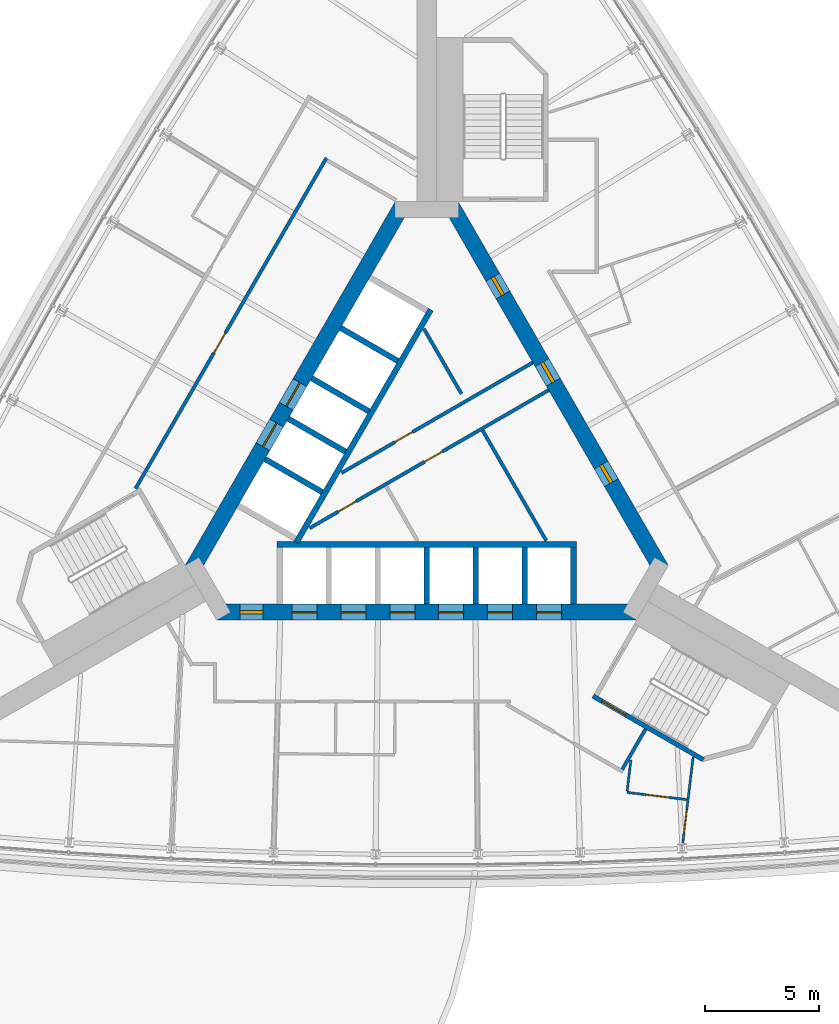
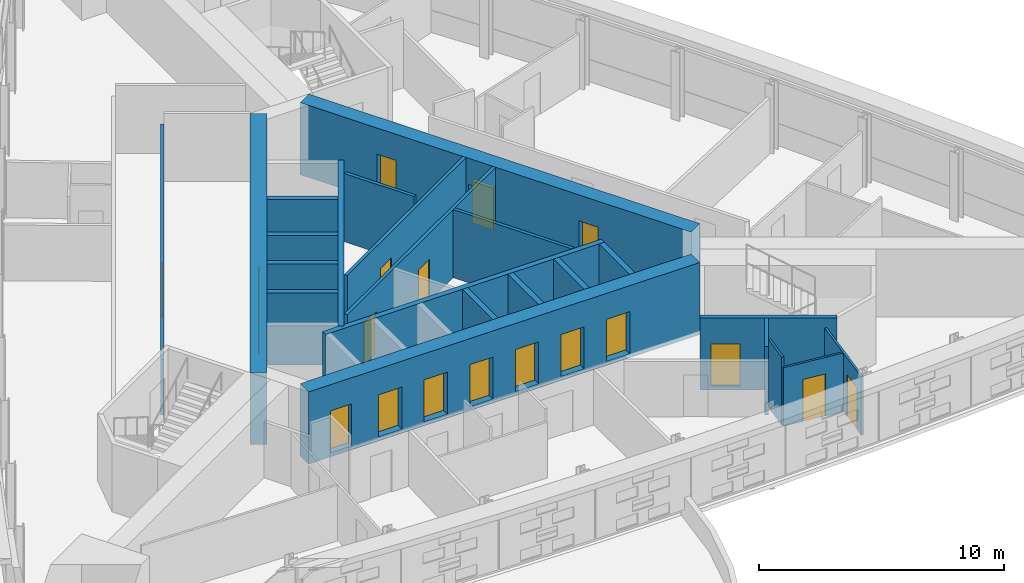
# One storey, part 11 of 15: 23 walls, 19 doors, 19 openings.
"""IFC4 building model written with IfcOpenShell, lengths in metres."""

from ifc_helpers import new_model, si_unit, direction, frame, frame_2d, origin, place, context, subcontext, project, spatial, rectangle, extrude, material, layer, layer_set, type_object, element, fill, save


model = new_model("IFC4")

# Units and contexts
model_context = context("Model", 3, precision=1e-05, world=origin(), true_north=direction((0.0, 1.0)))
body_context = subcontext(model_context, "Body", "Model", "MODEL_VIEW")
ifc_project = project(units=[si_unit("LENGTHUNIT", "METRE"), si_unit("AREAUNIT", "SQUARE_METRE"), si_unit("VOLUMEUNIT", "CUBIC_METRE"), si_unit("PLANEANGLEUNIT", "RADIAN"), si_unit("MASSUNIT", "GRAM", prefix="KILO")], contexts=[model_context])

# Site, building, storey
site_placement = place(None, origin())
site = spatial("IfcSite", under=ifc_project, at=site_placement, CompositionType="ELEMENT")
building_placement = place(site_placement, origin())
building = spatial("IfcBuilding", under=site, at=building_placement, Name="Noor Cloister Tower", CompositionType="ELEMENT")
storey_placement = place(building_placement, frame((0.0, 0.0, 69.0)))
storey = spatial("IfcBuildingStorey", under=building, at=storey_placement, Name="L17", CompositionType="ELEMENT", Elevation=69.0)

# Wall, openings, doors
ifc_material_1 = material(Name="Concrete C30/37", Category="concrete")
ifc_layer_1 = layer(ifc_material_1, 0.14990234375)
ifc_layer_set_1 = layer_set([ifc_layer_1], Name="Core partition 150 C30/37")
wall_type_1 = type_object("IfcWallType", Name="Core partition 150 C30/37", PredefinedType="PARTITIONING", material=ifc_layer_set_1)
wall_1_placement = place(storey_placement, frame((-5.147705078125, -2.8896484375, 0.0), z_axis=(0.0, 0.0, 1.0), x_axis=(0.866030081544, 0.499991897794, 0.0)))
wall_1 = element("IfcWall", 1, at=wall_1_placement, inside=storey, type_object=wall_type_1, Name="Core room partition L17 1", PredefinedType="PARTITIONING", context=body_context, shape_type="SweptSolid", body=[
    extrude(rectangle(XDim=12.131103515625, YDim=0.14990234375, at=frame_2d((6.0654296875, 0.0))), origin(), (0.0, 0.0, 1.0), 3.39990234375),
])
opening_1_placement = place(wall_1_placement, frame((5.8310546875, 0.0, 0.0)))
opening_1 = element("IfcOpeningElement", 2, at=opening_1_placement, cuts=wall_1, Name="Opening L17-904", PredefinedType="OPENING", context=body_context, shape_type="SweptSolid", body=[
    extrude(rectangle(XDim=0.89990234375, YDim=2.10009765625, at=frame_2d((0.449951171875, 1.050048828125))), frame((0.0, 0.0849609375, 0.0), z_axis=(0.0, -1.0, 0.0), x_axis=(1.0, 0.0, 0.0)), (0.0, 0.0, 1.0), 0.169921875),
])
opening_2_placement = place(wall_1_placement, frame((1.466552734375, 0.0, 0.0)))
opening_2 = element("IfcOpeningElement", 3, at=opening_2_placement, cuts=wall_1, Name="Opening L17-906", PredefinedType="OPENING", context=body_context, shape_type="SweptSolid", body=[
    extrude(rectangle(XDim=0.89990234375, YDim=2.10009765625, at=frame_2d((0.449951171875, 1.050048828125))), frame((0.0, 0.0849609375, 0.0), z_axis=(0.0, -1.0, 0.0), x_axis=(1.0, 0.0, 0.0)), (0.0, 0.0, 1.0), 0.169921875),
])
ifc_material_2 = material(Name="Steel", Category="steel")
door_type_1 = type_object("IfcDoorType", Name="Core door 900 x 2100 FD60", OperationType="SINGLE_SWING_LEFT", PredefinedType="DOOR", material=ifc_material_2)
door_1_placement = place(opening_1_placement, origin())
door_1 = element("IfcDoor", 4, at=door_1_placement, inside=storey, type_object=door_type_1, Name="Core door 4 L17", OperationType="SINGLE_SWING_RIGHT", OverallHeight=2.10009765625, OverallWidth=0.89990234375, PredefinedType="DOOR", context=body_context, shape_type="SweptSolid", body=[
    extrude(rectangle(XDim=0.89990234375, YDim=2.10009765625, at=frame_2d((0.449951171875, 1.050048828125))), frame((0.0, 0.02490234375, 0.0), z_axis=(0.0, -1.0, 0.0), x_axis=(1.0, 0.0, 0.0)), (0.0, 0.0, 1.0), 0.050048828125),
])
fill(opening_1, door_1)
door_2_placement = place(opening_2_placement, origin())
door_2 = element("IfcDoor", 5, at=door_2_placement, inside=storey, type_object=door_type_1, Name="Core door 6 L17", OperationType="SINGLE_SWING_RIGHT", OverallHeight=2.10009765625, OverallWidth=0.89990234375, PredefinedType="DOOR", context=body_context, shape_type="SweptSolid", body=[
    extrude(rectangle(XDim=0.89990234375, YDim=2.10009765625, at=frame_2d((0.449951171875, 1.050048828125))), frame((0.0, 0.02490234375, 0.0), z_axis=(0.0, -1.0, 0.0), x_axis=(1.0, 0.0, 0.0)), (0.0, 0.0, 1.0), 0.050048828125),
])
fill(opening_2, door_2)

# Wall, opening, door
wall_2_placement = place(storey_placement, frame((-3.747802734375, -0.46484375, 0.0), z_axis=(0.0, 0.0, 1.0), x_axis=(0.866033540873, 0.499985905884, 0.0)))
wall_2 = element("IfcWall", 6, at=wall_2_placement, inside=storey, type_object=wall_type_1, Name="Core room partition L17 2", PredefinedType="PARTITIONING", context=body_context, shape_type="SweptSolid", body=[
    extrude(rectangle(XDim=9.706298828125, YDim=0.14990234375, at=frame_2d((4.85302734375, 0.0))), origin(), (0.0, 0.0, 1.0), 3.39990234375),
])
opening_3_placement = place(wall_2_placement, frame((2.7041015625, 0.0, 0.0)))
opening_3 = element("IfcOpeningElement", 7, at=opening_3_placement, cuts=wall_2, Name="Opening L17-905", PredefinedType="OPENING", context=body_context, shape_type="SweptSolid", body=[
    extrude(rectangle(XDim=0.89990234375, YDim=2.10009765625, at=frame_2d((0.449951171875, 1.050048828125))), frame((0.0, 0.0849609375, 0.0), z_axis=(0.0, -1.0, 0.0), x_axis=(1.0, 0.0, 0.0)), (0.0, 0.0, 1.0), 0.169921875),
])
door_3_placement = place(opening_3_placement, origin())
door_3 = element("IfcDoor", 8, at=door_3_placement, inside=storey, type_object=door_type_1, Name="Core door 5 L17", OperationType="SINGLE_SWING_LEFT", OverallHeight=2.10009765625, OverallWidth=0.89990234375, PredefinedType="DOOR", context=body_context, shape_type="SweptSolid", body=[
    extrude(rectangle(XDim=0.89990234375, YDim=2.10009765625, at=frame_2d((0.449951171875, 1.050048828125))), frame((0.0, 0.02490234375, 0.0), z_axis=(0.0, -1.0, 0.0), x_axis=(1.0, 0.0, 0.0)), (0.0, 0.0, 1.0), 0.050048828125),
])
fill(opening_3, door_3)

# Walls
wall_3_placement = place(storey_placement, frame((1.526123046875, 3.012939453125, 0.0), z_axis=(0.0, 0.0, 1.0), x_axis=(-0.499978925887, 0.866037570588, 0.0)))
element("IfcWall", 9, at=wall_3_placement, inside=storey, type_object=wall_type_1, Name="Core room partition L17 3", PredefinedType="PARTITIONING", context=body_context, shape_type="SweptSolid", body=[
    extrude(rectangle(XDim=3.296142578125, YDim=0.14990234375, at=frame_2d((1.64794921875, 0.0))), origin(), (0.0, 0.0, 1.0), 3.39990234375),
])
wall_4_placement = place(storey_placement, frame((5.25146484375, -3.439208984375, 0.0), z_axis=(0.0, 0.0, 1.0), x_axis=(-0.500011755427, 0.866018616679, 0.0)))
element("IfcWall", 10, at=wall_4_placement, inside=storey, type_object=wall_type_1, Name="Core room partition L17 5", PredefinedType="PARTITIONING", context=body_context, shape_type="SweptSolid", body=[
    extrude(rectangle(XDim=5.600341796875, YDim=0.14990234375, at=frame_2d((2.80029296875, 0.0))), origin(), (0.0, 0.0, 1.0), 3.39990234375),
])

# Wall, openings, doors
ifc_material_3 = material(Name="Concrete C80/95", Category="concrete")
ifc_layer_2 = layer(ifc_material_3, 0.699951171875)
ifc_layer_set_2 = layer_set([ifc_layer_2], Name="Core wall 700 C80/95")
wall_type_2 = type_object("IfcWallType", Name="Core wall 700 C80/95", PredefinedType="SHEAR", material=ifc_layer_set_2)
wall_5_placement = place(storey_placement, frame((-9.228759765625, -6.578125, -0.199951171875), z_axis=(0.0, 0.0, 1.0), x_axis=(1.0, 0.0, 0.0)))
wall_5 = element("IfcWall", 11, at=wall_5_placement, inside=storey, type_object=wall_type_2, Name="Core wall L17 1", PredefinedType="SHEAR", context=body_context, shape_type="SweptSolid", body=[
    extrude(rectangle(XDim=18.45751953125, YDim=0.699951171875, at=frame_2d((9.228759765625, 0.0))), origin(), (0.0, 0.0, 1.0), 3.599853515625),
])
opening_4_placement = place(wall_5_placement, frame((3.3037109375, 0.0, 0.199951171875)))
opening_4 = element("IfcOpeningElement", 12, at=opening_4_placement, cuts=wall_5, Name="Opening L17-LR1", PredefinedType="OPENING", context=body_context, shape_type="SweptSolid", body=[
    extrude(rectangle(XDim=1.10009765625, YDim=2.10009765625, at=frame_2d((0.550048828125, 1.050048828125))), frame((0.0, 0.35986328125, 0.0), z_axis=(0.0, -1.0, 0.0), x_axis=(1.0, 0.0, 0.0)), (0.0, 0.0, 1.0), 0.719970703125),
])
opening_5_placement = place(wall_5_placement, frame((5.45361328125, 0.0, 0.199951171875)))
opening_5 = element("IfcOpeningElement", 13, at=opening_5_placement, cuts=wall_5, Name="Opening L17-LR2", PredefinedType="OPENING", context=body_context, shape_type="SweptSolid", body=[
    extrude(rectangle(XDim=1.10009765625, YDim=2.10009765625, at=frame_2d((0.550048828125, 1.050048828125))), frame((0.0, 0.35986328125, 0.0), z_axis=(0.0, -1.0, 0.0), x_axis=(1.0, 0.0, 0.0)), (0.0, 0.0, 1.0), 0.719970703125),
])
opening_6_placement = place(wall_5_placement, frame((7.603759765625, 0.0, 0.199951171875)))
opening_6 = element("IfcOpeningElement", 14, at=opening_6_placement, cuts=wall_5, Name="Opening L17-LR3", PredefinedType="OPENING", context=body_context, shape_type="SweptSolid", body=[
    extrude(rectangle(XDim=1.10009765625, YDim=2.10009765625, at=frame_2d((0.550048828125, 1.050048828125))), frame((0.0, 0.35986328125, 0.0), z_axis=(0.0, -1.0, 0.0), x_axis=(1.0, 0.0, 0.0)), (0.0, 0.0, 1.0), 0.719970703125),
])
opening_7_placement = place(wall_5_placement, frame((9.753662109375, 0.0, 0.199951171875)))
opening_7 = element("IfcOpeningElement", 15, at=opening_7_placement, cuts=wall_5, Name="Opening L17-LR4", PredefinedType="OPENING", context=body_context, shape_type="SweptSolid", body=[
    extrude(rectangle(XDim=1.10009765625, YDim=2.10009765625, at=frame_2d((0.550048828125, 1.050048828125))), frame((0.0, 0.35986328125, 0.0), z_axis=(0.0, -1.0, 0.0), x_axis=(1.0, 0.0, 0.0)), (0.0, 0.0, 1.0), 0.719970703125),
])
opening_8_placement = place(wall_5_placement, frame((11.90380859375, 0.0, 0.199951171875)))
opening_8 = element("IfcOpeningElement", 16, at=opening_8_placement, cuts=wall_5, Name="Opening L17-LR5", PredefinedType="OPENING", context=body_context, shape_type="SweptSolid", body=[
    extrude(rectangle(XDim=1.10009765625, YDim=2.10009765625, at=frame_2d((0.550048828125, 1.050048828125))), frame((0.0, 0.35986328125, 0.0), z_axis=(0.0, -1.0, 0.0), x_axis=(1.0, 0.0, 0.0)), (0.0, 0.0, 1.0), 0.719970703125),
])
opening_9_placement = place(wall_5_placement, frame((14.0537109375, 0.0, 0.199951171875)))
opening_9 = element("IfcOpeningElement", 17, at=opening_9_placement, cuts=wall_5, Name="Opening L17-LR6", PredefinedType="OPENING", context=body_context, shape_type="SweptSolid", body=[
    extrude(rectangle(XDim=1.10009765625, YDim=2.10009765625, at=frame_2d((0.550048828125, 1.050048828125))), frame((0.0, 0.35986328125, 0.0), z_axis=(0.0, -1.0, 0.0), x_axis=(1.0, 0.0, 0.0)), (0.0, 0.0, 1.0), 0.719970703125),
])
opening_10_placement = place(wall_5_placement, frame((1.02880859375, 0.0, 0.199951171875)))
opening_10 = element("IfcOpeningElement", 18, at=opening_10_placement, cuts=wall_5, Name="Opening L17-907", PredefinedType="OPENING", context=body_context, shape_type="SweptSolid", body=[
    extrude(rectangle(XDim=1.0, YDim=2.10009765625, at=frame_2d((0.5, 1.050048828125))), frame((0.0, 0.35986328125, 0.0), z_axis=(0.0, -1.0, 0.0), x_axis=(1.0, 0.0, 0.0)), (0.0, 0.0, 1.0), 0.719970703125),
])
ifc_material_4 = material(Name="Steel", Category="steel")
door_type_2 = type_object("IfcDoorType", Name="Core door 1000 x 2100 FD60", OperationType="SINGLE_SWING_LEFT", PredefinedType="DOOR", material=ifc_material_4)
door_4_placement = place(opening_10_placement, origin())
door_4 = element("IfcDoor", 19, at=door_4_placement, inside=storey, type_object=door_type_2, Name="Core door 7 L17", OperationType="SINGLE_SWING_LEFT", OverallHeight=2.10009765625, OverallWidth=1.0, PredefinedType="DOOR", context=body_context, shape_type="SweptSolid", body=[
    extrude(rectangle(XDim=1.0, YDim=2.10009765625, at=frame_2d((0.5, 1.050048828125))), frame((0.0, 0.074951171875, 0.0), z_axis=(0.0, -1.0, 0.0), x_axis=(1.0, 0.0, 0.0)), (0.0, 0.0, 1.0), 0.14990234375),
])
fill(opening_10, door_4)
ifc_material_5 = material(Name="Stainless steel", Category="steel")
door_type_3 = type_object("IfcDoorType", Name="Lift landing door 1100 x 2100", OperationType="DOUBLE_DOOR_SLIDING", PredefinedType="DOOR", material=ifc_material_5)
door_5_placement = place(opening_4_placement, origin())
door_5 = element("IfcDoor", 20, at=door_5_placement, inside=storey, type_object=door_type_3, Name="Landing door LR1 L17", OperationType="DOUBLE_DOOR_SLIDING", OverallHeight=2.10009765625, OverallWidth=1.10009765625, PredefinedType="DOOR", context=body_context, shape_type="SweptSolid", body=[
    extrude(rectangle(XDim=1.10009765625, YDim=2.10009765625, at=frame_2d((0.550048828125, 1.050048828125))), frame((0.0, 0.02490234375, 0.0), z_axis=(0.0, -1.0, 0.0), x_axis=(1.0, 0.0, 0.0)), (0.0, 0.0, 1.0), 0.050048828125),
])
fill(opening_4, door_5)
door_6_placement = place(opening_5_placement, origin())
door_6 = element("IfcDoor", 21, at=door_6_placement, inside=storey, type_object=door_type_3, Name="Landing door LR2 L17", OperationType="DOUBLE_DOOR_SLIDING", OverallHeight=2.10009765625, OverallWidth=1.10009765625, PredefinedType="DOOR", context=body_context, shape_type="SweptSolid", body=[
    extrude(rectangle(XDim=1.10009765625, YDim=2.10009765625, at=frame_2d((0.550048828125, 1.050048828125))), frame((0.0, 0.02490234375, 0.0), z_axis=(0.0, -1.0, 0.0), x_axis=(1.0, 0.0, 0.0)), (0.0, 0.0, 1.0), 0.050048828125),
])
fill(opening_5, door_6)
door_7_placement = place(opening_6_placement, origin())
door_7 = element("IfcDoor", 22, at=door_7_placement, inside=storey, type_object=door_type_3, Name="Landing door LR3 L17", OperationType="DOUBLE_DOOR_SLIDING", OverallHeight=2.10009765625, OverallWidth=1.10009765625, PredefinedType="DOOR", context=body_context, shape_type="SweptSolid", body=[
    extrude(rectangle(XDim=1.10009765625, YDim=2.10009765625, at=frame_2d((0.550048828125, 1.050048828125))), frame((0.0, 0.02490234375, 0.0), z_axis=(0.0, -1.0, 0.0), x_axis=(1.0, 0.0, 0.0)), (0.0, 0.0, 1.0), 0.050048828125),
])
fill(opening_6, door_7)
door_8_placement = place(opening_7_placement, origin())
door_8 = element("IfcDoor", 23, at=door_8_placement, inside=storey, type_object=door_type_3, Name="Landing door LR4 L17", OperationType="DOUBLE_DOOR_SLIDING", OverallHeight=2.10009765625, OverallWidth=1.10009765625, PredefinedType="DOOR", context=body_context, shape_type="SweptSolid", body=[
    extrude(rectangle(XDim=1.10009765625, YDim=2.10009765625, at=frame_2d((0.550048828125, 1.050048828125))), frame((0.0, 0.02490234375, 0.0), z_axis=(0.0, -1.0, 0.0), x_axis=(1.0, 0.0, 0.0)), (0.0, 0.0, 1.0), 0.050048828125),
])
fill(opening_7, door_8)
door_9_placement = place(opening_8_placement, origin())
door_9 = element("IfcDoor", 24, at=door_9_placement, inside=storey, type_object=door_type_3, Name="Landing door LR5 L17", OperationType="DOUBLE_DOOR_SLIDING", OverallHeight=2.10009765625, OverallWidth=1.10009765625, PredefinedType="DOOR", context=body_context, shape_type="SweptSolid", body=[
    extrude(rectangle(XDim=1.10009765625, YDim=2.10009765625, at=frame_2d((0.550048828125, 1.050048828125))), frame((0.0, 0.02490234375, 0.0), z_axis=(0.0, -1.0, 0.0), x_axis=(1.0, 0.0, 0.0)), (0.0, 0.0, 1.0), 0.050048828125),
])
fill(opening_8, door_9)
door_10_placement = place(opening_9_placement, origin())
door_10 = element("IfcDoor", 25, at=door_10_placement, inside=storey, type_object=door_type_3, Name="Landing door LR6 L17", OperationType="DOUBLE_DOOR_SLIDING", OverallHeight=2.10009765625, OverallWidth=1.10009765625, PredefinedType="DOOR", context=body_context, shape_type="SweptSolid", body=[
    extrude(rectangle(XDim=1.10009765625, YDim=2.10009765625, at=frame_2d((0.550048828125, 1.050048828125))), frame((0.0, 0.02490234375, 0.0), z_axis=(0.0, -1.0, 0.0), x_axis=(1.0, 0.0, 0.0)), (0.0, 0.0, 1.0), 0.050048828125),
])
fill(opening_9, door_10)

wall_6_placement = place(storey_placement, frame((10.311279296875, -4.703125, -0.199951171875), z_axis=(0.0, 0.0, 1.0), x_axis=(-0.500001446645, 0.866024568562, 0.0)))
wall_6 = element("IfcWall", 26, at=wall_6_placement, inside=storey, type_object=wall_type_2, Name="Core wall L17 3", PredefinedType="SHEAR", context=body_context, shape_type="SweptSolid", body=[
    extrude(rectangle(XDim=18.45751953125, YDim=0.699951171875, at=frame_2d((9.228759765625, 0.0))), origin(), (0.0, 0.0, 1.0), 3.599853515625),
])
opening_11_placement = place(wall_6_placement, frame((9.5, 0.0, 0.199951171875)))
opening_11 = element("IfcOpeningElement", 27, at=opening_11_placement, cuts=wall_6, Name="Opening L17-901", PredefinedType="OPENING", context=body_context, shape_type="SweptSolid", body=[
    extrude(rectangle(XDim=1.0, YDim=2.10009765625, at=frame_2d((0.5, 1.050048828125))), frame((0.0, 0.35986328125, 0.0), z_axis=(0.0, -1.0, 0.0), x_axis=(1.0, 0.0, 0.0)), (0.0, 0.0, 1.0), 0.719970703125),
])
opening_12_placement = place(wall_6_placement, frame((4.402099609375, 0.0, 0.199951171875)))
opening_12 = element("IfcOpeningElement", 28, at=opening_12_placement, cuts=wall_6, Name="Opening L17-902", PredefinedType="OPENING", context=body_context, shape_type="SweptSolid", body=[
    extrude(rectangle(XDim=0.89990234375, YDim=2.10009765625, at=frame_2d((0.449951171875, 1.050048828125))), frame((0.0, 0.35986328125, 0.0), z_axis=(0.0, -1.0, 0.0), x_axis=(1.0, 0.0, 0.0)), (0.0, 0.0, 1.0), 0.719970703125),
])
opening_13_placement = place(wall_6_placement, frame((13.9267578125, 0.0, 0.199951171875)))
opening_13 = element("IfcOpeningElement", 29, at=opening_13_placement, cuts=wall_6, Name="Opening L17-903", PredefinedType="OPENING", context=body_context, shape_type="SweptSolid", body=[
    extrude(rectangle(XDim=0.89990234375, YDim=2.10009765625, at=frame_2d((0.449951171875, 1.050048828125))), frame((0.0, 0.35986328125, 0.0), z_axis=(0.0, -1.0, 0.0), x_axis=(1.0, 0.0, 0.0)), (0.0, 0.0, 1.0), 0.719970703125),
])
ifc_material_6 = material(Name="Steel", Category="steel")
door_type_4 = type_object("IfcDoorType", Name="Core door 1000 x 2100 FD120", OperationType="SINGLE_SWING_LEFT", PredefinedType="DOOR", material=ifc_material_6)
door_11_placement = place(opening_11_placement, origin())
door_11 = element("IfcDoor", 30, at=door_11_placement, inside=storey, type_object=door_type_4, Name="Core door 1 L17", OperationType="SINGLE_SWING_LEFT", OverallHeight=2.10009765625, OverallWidth=1.0, PredefinedType="DOOR", context=body_context, shape_type="SweptSolid", body=[
    extrude(rectangle(XDim=1.0, YDim=2.10009765625, at=frame_2d((0.5, 1.050048828125))), frame((0.0, 0.074951171875, 0.0), z_axis=(0.0, -1.0, 0.0), x_axis=(1.0, 0.0, 0.0)), (0.0, 0.0, 1.0), 0.14990234375),
])
fill(opening_11, door_11)
ifc_material_7 = material(Name="Steel", Category="steel")
door_type_5 = type_object("IfcDoorType", Name="Core door 900 x 2100 FD120", OperationType="SINGLE_SWING_LEFT", PredefinedType="DOOR", material=ifc_material_7)
door_12_placement = place(opening_13_placement, origin())
door_12 = element("IfcDoor", 31, at=door_12_placement, inside=storey, type_object=door_type_5, Name="Core door 3 L17", OperationType="SINGLE_SWING_LEFT", OverallHeight=2.10009765625, OverallWidth=0.89990234375, PredefinedType="DOOR", context=body_context, shape_type="SweptSolid", body=[
    extrude(rectangle(XDim=0.89990234375, YDim=2.10009765625, at=frame_2d((0.449951171875, 1.050048828125))), frame((0.0, 0.074951171875, 0.0), z_axis=(0.0, -1.0, 0.0), x_axis=(1.0, 0.0, 0.0)), (0.0, 0.0, 1.0), 0.14990234375),
])
fill(opening_13, door_12)
door_13_placement = place(opening_12_placement, origin())
door_13 = element("IfcDoor", 32, at=door_13_placement, inside=storey, type_object=door_type_1, Name="Core door 2 L17", OperationType="SINGLE_SWING_RIGHT", OverallHeight=2.10009765625, OverallWidth=0.89990234375, PredefinedType="DOOR", context=body_context, shape_type="SweptSolid", body=[
    extrude(rectangle(XDim=0.89990234375, YDim=2.10009765625, at=frame_2d((0.449951171875, 1.050048828125))), frame((0.0, 0.074951171875, 0.0), z_axis=(0.0, -1.0, 0.0), x_axis=(1.0, 0.0, 0.0)), (0.0, 0.0, 1.0), 0.14990234375),
])
fill(opening_12, door_13)

wall_7_placement = place(storey_placement, frame((-1.08251953125, 11.281494140625, -0.199951171875), z_axis=(0.0, 0.0, 1.0), x_axis=(-0.500001446645, -0.866024568562, 0.0)))
wall_7 = element("IfcWall", 33, at=wall_7_placement, inside=storey, type_object=wall_type_2, Name="Core wall L17 5", PredefinedType="SHEAR", context=body_context, shape_type="SweptSolid", body=[
    extrude(rectangle(XDim=18.45751953125, YDim=0.699951171875, at=frame_2d((9.228759765625, 0.0))), origin(), (0.0, 0.0, 1.0), 3.599853515625),
])
opening_14_placement = place(wall_7_placement, frame((8.978759765625, 0.0, 0.199951171875)))
opening_14 = element("IfcOpeningElement", 34, at=opening_14_placement, cuts=wall_7, Name="Opening L17-FF1", PredefinedType="OPENING", context=body_context, shape_type="SweptSolid", body=[
    extrude(rectangle(XDim=1.199951171875, YDim=2.10009765625, at=frame_2d((0.60009765625, 1.050048828125))), frame((0.0, 0.35986328125, 0.0), z_axis=(0.0, -1.0, 0.0), x_axis=(1.0, 0.0, 0.0)), (0.0, 0.0, 1.0), 0.719970703125),
])
opening_15_placement = place(wall_7_placement, frame((11.02880859375, 0.0, 0.199951171875)))
opening_15 = element("IfcOpeningElement", 35, at=opening_15_placement, cuts=wall_7, Name="Opening L17-FF2", PredefinedType="OPENING", context=body_context, shape_type="SweptSolid", body=[
    extrude(rectangle(XDim=1.199951171875, YDim=2.10009765625, at=frame_2d((0.60009765625, 1.050048828125))), frame((0.0, 0.35986328125, 0.0), z_axis=(0.0, -1.0, 0.0), x_axis=(1.0, 0.0, 0.0)), (0.0, 0.0, 1.0), 0.719970703125),
])
ifc_material_8 = material(Name="Stainless steel", Category="steel")
door_type_6 = type_object("IfcDoorType", Name="Lift landing door 1200 x 2100", OperationType="DOUBLE_DOOR_SLIDING", PredefinedType="DOOR", material=ifc_material_8)
door_14_placement = place(opening_14_placement, origin())
door_14 = element("IfcDoor", 36, at=door_14_placement, inside=storey, type_object=door_type_6, Name="Landing door FF1 L17", OperationType="DOUBLE_DOOR_SLIDING", OverallHeight=2.10009765625, OverallWidth=1.199951171875, PredefinedType="DOOR", context=body_context, shape_type="SweptSolid", body=[
    extrude(rectangle(XDim=1.199951171875, YDim=2.10009765625, at=frame_2d((0.60009765625, 1.050048828125))), frame((0.0, 0.02490234375, 0.0), z_axis=(0.0, -1.0, 0.0), x_axis=(1.0, 0.0, 0.0)), (0.0, 0.0, 1.0), 0.050048828125),
])
fill(opening_14, door_14)
door_15_placement = place(opening_15_placement, origin())
door_15 = element("IfcDoor", 37, at=door_15_placement, inside=storey, type_object=door_type_6, Name="Landing door FF2 L17", OperationType="DOUBLE_DOOR_SLIDING", OverallHeight=2.10009765625, OverallWidth=1.199951171875, PredefinedType="DOOR", context=body_context, shape_type="SweptSolid", body=[
    extrude(rectangle(XDim=1.199951171875, YDim=2.10009765625, at=frame_2d((0.60009765625, 1.050048828125))), frame((0.0, 0.02490234375, 0.0), z_axis=(0.0, -1.0, 0.0), x_axis=(1.0, 0.0, 0.0)), (0.0, 0.0, 1.0), 0.050048828125),
])
fill(opening_15, door_15)

# Wall, opening, door
ifc_material_9 = material(Name="Fire-rated gypsum board partition on steel studs, 150 mm", Category="steel")
ifc_layer_3 = layer(ifc_material_9, 0.14990234375)
ifc_layer_set_3 = layer_set([ifc_layer_3], Name="Fire lobby wall 150")
wall_type_3 = type_object("IfcWallType", Name="Fire lobby wall 150", PredefinedType="PARTITIONING", material=ifc_layer_set_3)
wall_8_placement = place(storey_placement, frame((-4.40673828125, 13.373779296875, 0.0), z_axis=(0.0, 0.0, 1.0), x_axis=(-0.499997181693, -0.866027030928, 0.0)))
wall_8 = element("IfcWall", 38, at=wall_8_placement, inside=storey, type_object=wall_type_3, Name="Fire lobby wall 150 L17 002", PredefinedType="PARTITIONING", context=body_context, shape_type="SweptSolid", body=[
    extrude(rectangle(XDim=16.76953125, YDim=0.14990234375, at=frame_2d((8.384765625, 0.0))), origin(), (0.0, 0.0, 1.0), 2.778076171875),
])
opening_16_placement = place(wall_8_placement, frame((8.878662109375, 0.0, 0.0)))
opening_16 = element("IfcOpeningElement", 39, at=opening_16_placement, cuts=wall_8, Name="Opening L17-003", PredefinedType="OPENING", context=body_context, shape_type="SweptSolid", body=[
    extrude(rectangle(XDim=1.0, YDim=2.10009765625, at=frame_2d((0.5, 1.050048828125))), frame((0.0, 0.0849609375, 0.0), z_axis=(0.0, -1.0, 0.0), x_axis=(1.0, 0.0, 0.0)), (0.0, 0.0, 1.0), 0.169921875),
])
ifc_material_10 = material(Name="Timber door leaf with steel frame", Category="steel")
door_type_7 = type_object("IfcDoorType", Name="Fire lobby door 1000", OperationType="NOTDEFINED", PredefinedType="DOOR", material=ifc_material_10)
door_16_placement = place(opening_16_placement, origin())
door_16 = element("IfcDoor", 40, at=door_16_placement, inside=storey, type_object=door_type_7, Name="Fire lobby door 1000 L17-003", OperationType="SINGLE_SWING_RIGHT", OverallHeight=2.10009765625, OverallWidth=1.0, PredefinedType="DOOR", context=body_context, shape_type="SweptSolid", body=[
    extrude(rectangle(XDim=1.0, YDim=2.10009765625, at=frame_2d((0.5, 1.050048828125))), frame((0.0, 0.02490234375, 0.0), z_axis=(0.0, -1.0, 0.0), x_axis=(1.0, 0.0, 0.0)), (0.0, 0.0, 1.0), 0.050048828125),
])
fill(opening_16, door_16)

# Wall
ifc_material_11 = material(Name="Gypsum board partition on steel studs, 150 mm", Category="steel")
ifc_layer_4 = layer(ifc_material_11, 0.14990234375)
ifc_layer_set_4 = layer_set([ifc_layer_4], Name="Flat wall 150")
wall_type_4 = type_object("IfcWallType", Name="Flat wall 150", PredefinedType="PARTITIONING", material=ifc_layer_set_4)
wall_9_placement = place(storey_placement, frame((8.588623046875, -13.48681640625, 0.0), z_axis=(0.0, 0.0, 1.0), x_axis=(0.499956128963, 0.866050731258, 0.0)))
element("IfcWall", 41, at=wall_9_placement, inside=storey, type_object=wall_type_4, Name="Flat wall 150 L17 010", PredefinedType="PARTITIONING", context=body_context, shape_type="SweptSolid", body=[
    extrude(rectangle(XDim=2.050048828125, YDim=0.14990234375, at=frame_2d((1.02490234375, 0.0))), origin(), (0.0, 0.0, 1.0), 3.39990234375),
])

# Wall, opening, door
ifc_material_12 = material(Name="Gypsum board partition on steel studs, 100 mm", Category="steel")
ifc_layer_5 = layer(ifc_material_12, 0.10009765625)
ifc_layer_set_5 = layer_set([ifc_layer_5], Name="Partition 100")
wall_type_5 = type_object("IfcWallType", Name="Partition 100", PredefinedType="PARTITIONING", material=ifc_layer_set_5)
wall_10_placement = place(storey_placement, frame((11.70263671875, -12.940185546875, 0.0), z_axis=(0.0, 0.0, 1.0), x_axis=(-0.119454840068, -0.99283963518, 0.0)))
wall_10 = element("IfcWall", 42, at=wall_10_placement, inside=storey, type_object=wall_type_5, Name="Partition 100 L17 029", PredefinedType="PARTITIONING", context=body_context, shape_type="SweptSolid", body=[
    extrude(rectangle(XDim=3.793212890625, YDim=0.10009765625, at=frame_2d((1.896484375, 0.0))), origin(), (0.0, 0.0, 1.0), 2.923095703125),
])
opening_17_placement = place(wall_10_placement, frame((2.336181640625, 0.0, 0.0)))
opening_17 = element("IfcOpeningElement", 43, at=opening_17_placement, cuts=wall_10, Name="Opening L17-020", PredefinedType="OPENING", context=body_context, shape_type="SweptSolid", body=[
    extrude(rectangle(XDim=1.0, YDim=2.10009765625, at=frame_2d((0.5, 1.050048828125))), frame((0.0, 0.06005859375, 0.0), z_axis=(0.0, -1.0, 0.0), x_axis=(1.0, 0.0, 0.0)), (0.0, 0.0, 1.0), 0.1201171875),
])
ifc_material_13 = material(Name="Timber door leaf with steel frame", Category="steel")
door_type_8 = type_object("IfcDoorType", Name="Interior door 1000", OperationType="NOTDEFINED", PredefinedType="DOOR", material=ifc_material_13)
door_17_placement = place(opening_17_placement, origin())
door_17 = element("IfcDoor", 44, at=door_17_placement, inside=storey, type_object=door_type_8, Name="Interior door 1000 L17-020", OperationType="SINGLE_SWING_RIGHT", OverallHeight=2.10009765625, OverallWidth=1.0, PredefinedType="DOOR", context=body_context, shape_type="SweptSolid", body=[
    extrude(rectangle(XDim=1.0, YDim=2.10009765625, at=frame_2d((0.5, 1.050048828125))), frame((0.0, 0.02490234375, 0.0), z_axis=(0.0, -1.0, 0.0), x_axis=(1.0, 0.0, 0.0)), (0.0, 0.0, 1.0), 0.050048828125),
])
fill(opening_17, door_17)

wall_11_placement = place(storey_placement, frame((8.7958984375, -14.495849609375, 0.0), z_axis=(0.0, 0.0, 1.0), x_axis=(0.992835802838, -0.119486687973, 0.0)))
wall_11 = element("IfcWall", 45, at=wall_11_placement, inside=storey, type_object=wall_type_5, Name="Partition 100 L17 032", PredefinedType="PARTITIONING", context=body_context, shape_type="SweptSolid", body=[
    extrude(rectangle(XDim=2.650146484375, YDim=0.10009765625, at=frame_2d((1.3251953125, 0.0))), origin(), (0.0, 0.0, 1.0), 2.923095703125),
])
opening_18_placement = place(wall_11_placement, frame((0.85009765625, 0.0, 0.0)))
opening_18 = element("IfcOpeningElement", 46, at=opening_18_placement, cuts=wall_11, Name="Opening L17-022", PredefinedType="OPENING", context=body_context, shape_type="SweptSolid", body=[
    extrude(rectangle(XDim=1.0, YDim=2.10009765625, at=frame_2d((0.5, 1.050048828125))), frame((0.0, 0.06005859375, 0.0), z_axis=(0.0, -1.0, 0.0), x_axis=(1.0, 0.0, 0.0)), (0.0, 0.0, 1.0), 0.1201171875),
])
door_18_placement = place(opening_18_placement, origin())
door_18 = element("IfcDoor", 47, at=door_18_placement, inside=storey, type_object=door_type_8, Name="Interior door 1000 L17-022", OperationType="SINGLE_SWING_RIGHT", OverallHeight=2.10009765625, OverallWidth=1.0, PredefinedType="DOOR", context=body_context, shape_type="SweptSolid", body=[
    extrude(rectangle(XDim=1.0, YDim=2.10009765625, at=frame_2d((0.5, 1.050048828125))), frame((0.0, 0.02490234375, 0.0), z_axis=(0.0, -1.0, 0.0), x_axis=(1.0, 0.0, 0.0)), (0.0, 0.0, 1.0), 0.050048828125),
])
fill(opening_18, door_18)

# Walls
wall_12_placement = place(storey_placement, frame((8.96728515625, -13.072998046875, 0.0), z_axis=(0.0, 0.0, 1.0), x_axis=(-0.119493210152, -0.992835017879, 0.0)))
element("IfcWall", 48, at=wall_12_placement, inside=storey, type_object=wall_type_5, Name="Partition 100 L17 038", PredefinedType="PARTITIONING", context=body_context, shape_type="SweptSolid", body=[
    extrude(rectangle(XDim=1.38330078125, YDim=0.10009765625, at=frame_2d((0.691650390625, 0.0))), origin(), (0.0, 0.0, 1.0), 3.39990234375),
])
ifc_material_14 = material(Name="Concrete C80/95", Category="concrete")
ifc_layer_6 = layer(ifc_material_14, 0.25)
ifc_layer_set_6 = layer_set([ifc_layer_6], Name="Shaft wall 250 C80/95")
wall_type_6 = type_object("IfcWallType", Name="Shaft wall 250 C80/95", PredefinedType="PARTITIONING", material=ifc_layer_set_6)
for number, where, z_axis, x_axis, name in (
    (49, (0.0, -6.228271484375, -0.199951171875), (0.0, 0.0, 1.0), (0.0, 1.0, 0.0), "Lift shaft wall L17 S 4"),
    (50, (2.14990234375, -6.228271484375, -0.199951171875), (0.0, 0.0, 1.0), (0.0, 1.0, 0.0), "Lift shaft wall L17 S 5"),
    (51, (4.300048828125, -6.228271484375, -0.199951171875), (0.0, 0.0, 1.0), (0.0, 1.0, 0.0), "Lift shaft wall L17 S 6"),
    (52, (6.449951171875, -6.228271484375, -0.199951171875), (0.0, 0.0, 1.0), (0.0, 1.0, 0.0), "Lift shaft wall L17 S 7"),
):
    element("IfcWall", number, at=place(storey_placement, frame(where, z_axis=z_axis, x_axis=x_axis)), inside=storey, type_object=wall_type_6, Name=name, PredefinedType="PARTITIONING", context=body_context, shape_type="SweptSolid", body=[
        extrude(rectangle(XDim=2.5, YDim=0.25, at=frame_2d((1.25, 0.0))), origin(), (0.0, 0.0, 1.0), 3.599853515625),
    ])
wall_13_placement = place(storey_placement, frame((-6.574951171875, -3.603271484375, 0.0), z_axis=(0.0, 0.0, 1.0), x_axis=(1.0, 0.0, 0.0)))
element("IfcWall", 53, at=wall_13_placement, inside=storey, type_object=wall_type_6, Name="Lift shaft back wall L17 S", PredefinedType="PARTITIONING", context=body_context, shape_type="SweptSolid", body=[
    extrude(rectangle(XDim=13.14990234375, YDim=0.25, at=frame_2d((6.574951171875, 0.0))), origin(), (0.0, 0.0, 1.0), 3.39990234375),
])
for number, where, z_axis, x_axis, name in (
    (54, (-3.78125, 5.906982421875, -0.199951171875), (0.0, 0.0, 1.0), (0.866032775405, -0.499987231761, 0.0), "Lift shaft wall L17 NW 2"),
    (55, (-5.056396484375, 3.69873046875, -0.199951171875), (0.0, 0.0, 1.0), (0.866032775405, -0.499987231761, 0.0), "Lift shaft wall L17 NW 3"),
    (56, (-6.081298828125, 1.92333984375, -0.199951171875), (0.0, 0.0, 1.0), (0.866032775405, -0.499987231761, 0.0), "Lift shaft wall L17 NW 4"),
    (57, (-7.106201171875, 0.14794921875, -0.199951171875), (0.0, 0.0, 1.0), (0.866032775405, -0.499987231761, 0.0), "Lift shaft wall L17 NW 5"),
):
    element("IfcWall", number, at=place(storey_placement, frame(where, z_axis=z_axis, x_axis=x_axis)), inside=storey, type_object=wall_type_6, Name=name, PredefinedType="PARTITIONING", context=body_context, shape_type="SweptSolid", body=[
        extrude(rectangle(XDim=2.89990234375, YDim=0.25, at=frame_2d((1.449951171875, 0.0))), origin(), (0.0, 0.0, 1.0), 3.599853515625),
    ])
wall_14_placement = place(storey_placement, frame((0.176025390625, 6.711181640625, 0.0), z_axis=(0.0, 0.0, 1.0), x_axis=(-0.500004227369, -0.866022963098, 0.0)))
element("IfcWall", 58, at=wall_14_placement, inside=storey, type_object=wall_type_6, Name="Lift shaft back wall L17 NW", PredefinedType="PARTITIONING", context=body_context, shape_type="SweptSolid", body=[
    extrude(rectangle(XDim=11.80029296875, YDim=0.25, at=frame_2d((5.900146484375, 0.0))), origin(), (0.0, 0.0, 1.0), 3.39990234375),
])

# Wall, opening, door
ifc_material_15 = material(Name="Concrete C80/95", Category="concrete")
ifc_layer_7 = layer(ifc_material_15, 0.199951171875)
ifc_layer_set_7 = layer_set([ifc_layer_7], Name="Stair enclosure wall 200 C80/95")
wall_type_7 = type_object("IfcWallType", Name="Stair enclosure wall 200 C80/95", PredefinedType="SHEAR", material=ifc_layer_set_7)
wall_15_placement = place(storey_placement, frame((7.3037109375, -10.262451171875, -0.199951171875), z_axis=(0.0, 0.0, 1.0), x_axis=(0.866026594901, -0.49999793692, 0.0)))
wall_15 = element("IfcWall", 59, at=wall_15_placement, inside=storey, type_object=wall_type_7, Name="Stair enclosure wall ST3 L17 outer side", PredefinedType="SHEAR", context=body_context, shape_type="SweptSolid", body=[
    extrude(rectangle(XDim=5.60009765625, YDim=0.199951171875, at=frame_2d((2.800048828125, 0.0))), origin(), (0.0, 0.0, 1.0), 3.599853515625),
])
opening_19_placement = place(wall_15_placement, frame((0.449951171875, 0.0, 0.199951171875)))
opening_19 = element("IfcOpeningElement", 60, at=opening_19_placement, cuts=wall_15, Name="Opening L17-ST3C", PredefinedType="OPENING", context=body_context, shape_type="SweptSolid", body=[
    extrude(rectangle(XDim=1.199951171875, YDim=2.10009765625, at=frame_2d((0.60009765625, 1.050048828125))), frame((0.0, 0.10986328125, 0.0), z_axis=(0.0, -1.0, 0.0), x_axis=(1.0, 0.0, 0.0)), (0.0, 0.0, 1.0), 0.219970703125),
])
ifc_material_16 = material(Name="Steel", Category="steel")
door_type_9 = type_object("IfcDoorType", Name="Stair door 1200 x 2100 FD120", OperationType="SINGLE_SWING_LEFT", PredefinedType="DOOR", material=ifc_material_16)
door_19_placement = place(opening_19_placement, origin())
door_19 = element("IfcDoor", 61, at=door_19_placement, inside=storey, type_object=door_type_9, Name="Stair door ST3 L17", OperationType="SINGLE_SWING_LEFT", OverallHeight=2.10009765625, OverallWidth=1.199951171875, PredefinedType="DOOR", context=body_context, shape_type="SweptSolid", body=[
    extrude(rectangle(XDim=1.199951171875, YDim=2.10009765625, at=frame_2d((0.60009765625, 1.050048828125))), frame((0.0, 0.02490234375, 0.0), z_axis=(0.0, -1.0, 0.0), x_axis=(1.0, 0.0, 0.0)), (0.0, 0.0, 1.0), 0.050048828125),
])
fill(opening_19, door_19)

save(model, "model.ifc")
